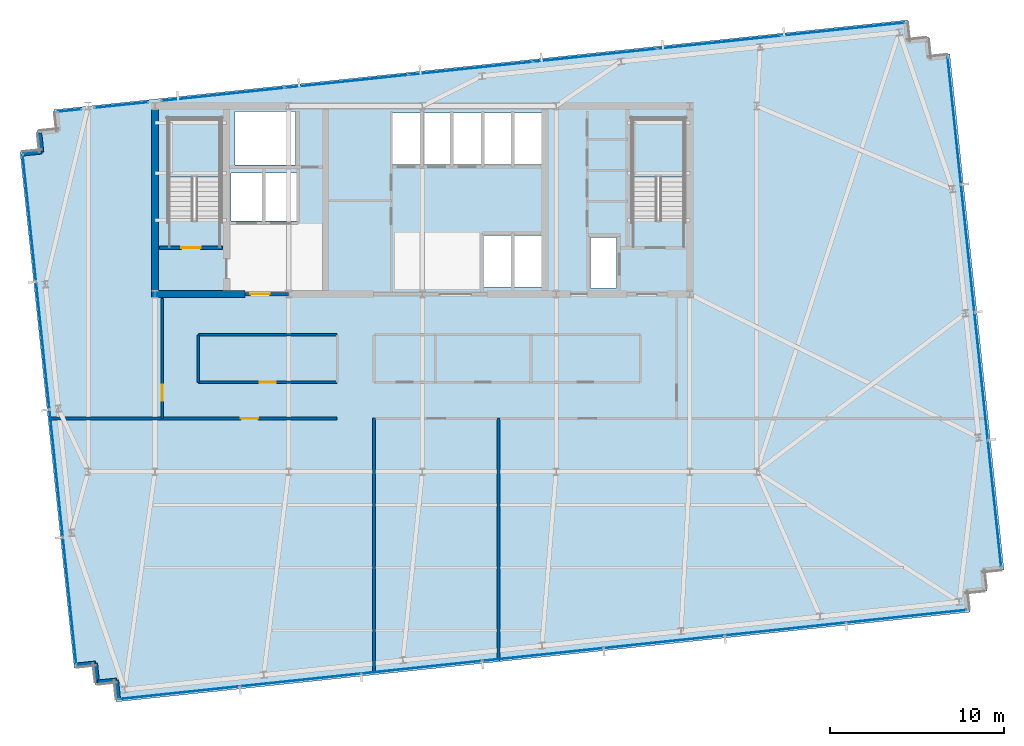
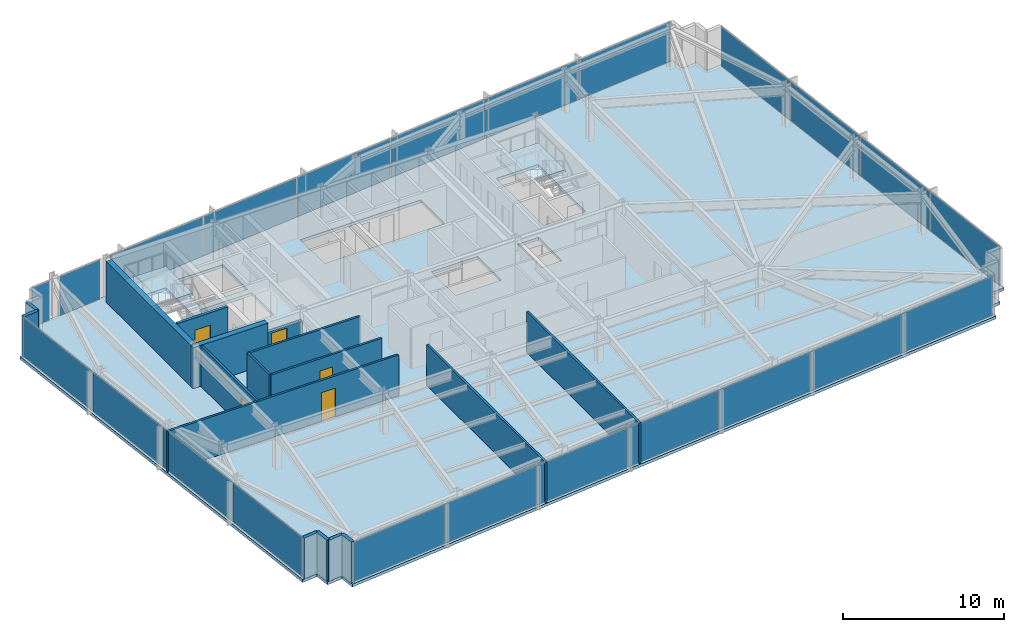
# One storey, part 26 of 32: 23 plates, 17 walls, 5 doors, 3 slabs, 5 openings, 8 elements without a shape of their own.
"""IFC4 building model written with IfcOpenShell, lengths in metres."""

from ifc_helpers import new_model, si_unit, direction, frame, frame_2d, origin, origin_2d, place, context, subcontext, project, spatial, polyline, rectangle, outline, extrude, material, layer, layer_set, type_object, element, fill, aggregate, save


model = new_model("IFC4")

# Units and contexts
model_context = context("Model", 3, precision=1e-05, world=origin(), true_north=direction((0.0, 1.0)))
body_context = subcontext(model_context, "Body", "Model", "MODEL_VIEW")
ifc_project = project(units=[si_unit("LENGTHUNIT", "METRE"), si_unit("AREAUNIT", "SQUARE_METRE"), si_unit("VOLUMEUNIT", "CUBIC_METRE"), si_unit("PLANEANGLEUNIT", "RADIAN"), si_unit("MASSUNIT", "GRAM", prefix="KILO")], contexts=[model_context])

# Site, building, storey
site_placement = place(None, origin())
site = spatial("IfcSite", under=ifc_project, at=site_placement, CompositionType="ELEMENT")
building_placement = place(site_placement, origin())
building = spatial("IfcBuilding", under=site, at=building_placement, Name="Yelkora Congress Tower", CompositionType="ELEMENT")
storey_placement = place(building_placement, frame((0.0, 0.0, 207.800048828125)))
storey = spatial("IfcBuildingStorey", under=building, at=storey_placement, Name="L57", CompositionType="ELEMENT", Elevation=207.800048828125)

# Curtain wall, plates
ifc_material_1 = material(Name="Anodised aluminium and insulated glass", Category="aluminium")
curtain_wall_type = type_object("IfcCurtainWallType", Name="CW-SYS-B4", PredefinedType="NOTDEFINED", material=ifc_material_1)
curtain_wall_1_placement = place(storey_placement, origin())
curtain_wall_1 = element("IfcCurtainWall", 1, at=curtain_wall_1_placement, inside=storey, type_object=curtain_wall_type, Name="L57 Unitised Curtain Wall 5", PredefinedType="NOTDEFINED")
ifc_material_2 = material(Name="Triple-silver diplomatic glass unit B4", Category="glass")
ifc_layer_1 = layer(ifc_material_2, 0.035888671875)
ifc_layer_set_1 = layer_set([ifc_layer_1], Name="Triple-silver diplomatic glass unit B4")
plate_type = type_object("IfcPlateType", Name="PLT-PN-B4", PredefinedType="CURTAIN_PANEL", material=ifc_layer_set_1)
plate_1_placement = place(storey_placement, frame((18.139404296875, 17.7724609375, 0.06005859375), z_axis=(0.0, 0.0, 1.0), x_axis=(-0.104526079034, 0.994522145958, 0.0)))
plate_1 = element("IfcPlate", 2, at=plate_1_placement, type_object=plate_type, Name="CW-B4 panel 1.1", PredefinedType="CURTAIN_PANEL", context=body_context, shape_type="SweptSolid", body=[
    extrude(rectangle(XDim=7.282470703125, YDim=0.035888671875, at=origin_2d()), origin(), (0.0, 0.0, 1.0), 2.9599609375),
])
plate_2_placement = place(storey_placement, frame((17.36962890625, 25.095703125, 0.06005859375), z_axis=(0.0, 0.0, 1.0), x_axis=(-0.104526079034, 0.994522145958, 0.0)))
plate_2 = element("IfcPlate", 3, at=plate_2_placement, type_object=plate_type, Name="CW-B4 panel 2.1", PredefinedType="CURTAIN_PANEL", context=body_context, shape_type="SweptSolid", body=[
    extrude(rectangle(XDim=7.31494140625, YDim=0.035888671875, at=origin_2d()), origin(), (0.0, 0.0, 1.0), 2.9599609375),
])
plate_3_placement = place(storey_placement, frame((16.59814453125, 32.435302734375, 0.06005859375), z_axis=(0.0, 0.0, 1.0), x_axis=(-0.104526079034, 0.994522145958, 0.0)))
plate_3 = element("IfcPlate", 4, at=plate_3_placement, type_object=plate_type, Name="CW-B4 panel 3.1", PredefinedType="CURTAIN_PANEL", context=body_context, shape_type="SweptSolid", body=[
    extrude(rectangle(XDim=7.31494140625, YDim=0.035888671875, at=origin_2d()), origin(), (0.0, 0.0, 1.0), 2.9599609375),
])
plate_4_placement = place(storey_placement, frame((15.82861328125, 39.7587890625, 0.06005859375), z_axis=(0.0, 0.0, 1.0), x_axis=(-0.104526079034, 0.994522145958, 0.0)))
plate_4 = element("IfcPlate", 5, at=plate_4_placement, type_object=plate_type, Name="CW-B4 panel 4.1", PredefinedType="CURTAIN_PANEL", context=body_context, shape_type="SweptSolid", body=[
    extrude(rectangle(XDim=7.282470703125, YDim=0.035888671875, at=origin_2d()), origin(), (0.0, 0.0, 1.0), 2.9599609375),
])
aggregate(curtain_wall_1, [plate_1, plate_2, plate_3, plate_4])

# Curtain wall, plate
curtain_wall_2_placement = place(storey_placement, origin())
curtain_wall_2 = element("IfcCurtainWall", 6, at=curtain_wall_2_placement, inside=storey, type_object=curtain_wall_type, Name="L57 Unitised Curtain Wall 10 (1)", PredefinedType="NOTDEFINED")
plate_5_placement = place(storey_placement, frame((18.136474609375, 45.940185546875, 0.06005859375), z_axis=(0.0, 0.0, 1.0), x_axis=(0.994523910137, 0.104509292244, 0.0)))
plate_5 = element("IfcPlate", 7, at=plate_5_placement, type_object=plate_type, Name="CW-B4 panel 1.1", PredefinedType="CURTAIN_PANEL", context=body_context, shape_type="SweptSolid", body=[
    extrude(rectangle(XDim=1.35302734375, YDim=0.035888671875, at=origin_2d()), origin(), (0.0, 0.0, 1.0), 2.9599609375),
])
aggregate(curtain_wall_2, [plate_5])

curtain_wall_3_placement = place(storey_placement, origin())
curtain_wall_3 = element("IfcCurtainWall", 8, at=curtain_wall_3_placement, inside=storey, type_object=curtain_wall_type, Name="L57 Unitised Curtain Wall 10 (2)", PredefinedType="NOTDEFINED")
plate_6_placement = place(storey_placement, frame((21.1201171875, 46.253662109375, 0.06005859375), z_axis=(0.0, 0.0, 1.0), x_axis=(0.994524239868, 0.104506154437, 0.0)))
plate_6 = element("IfcPlate", 9, at=plate_6_placement, type_object=plate_type, Name="CW-B4 panel 1.1", PredefinedType="CURTAIN_PANEL", context=body_context, shape_type="SweptSolid", body=[
    extrude(rectangle(XDim=3.075439453125, YDim=0.035888671875, at=origin_2d()), origin(), (0.0, 0.0, 1.0), 2.9599609375),
])
aggregate(curtain_wall_3, [plate_6])

# Curtain wall, plates
curtain_wall_4_placement = place(storey_placement, origin())
curtain_wall_4 = element("IfcCurtainWall", 10, at=curtain_wall_4_placement, inside=storey, type_object=curtain_wall_type, Name="L57 Unitised Curtain Wall 10 (3)", PredefinedType="NOTDEFINED")
plate_7_placement = place(storey_placement, frame((26.947509765625, 46.8662109375, 0.06005859375), z_axis=(0.0, 0.0, 1.0), x_axis=(0.994521973066, 0.104527724021, 0.0)))
plate_7 = element("IfcPlate", 11, at=plate_7_placement, type_object=plate_type, Name="CW-B4 panel 1.1", PredefinedType="CURTAIN_PANEL", context=body_context, shape_type="SweptSolid", body=[
    extrude(rectangle(XDim=7.072509765625, YDim=0.035888671875, at=origin_2d()), origin(), (0.0, 0.0, 1.0), 2.9599609375),
])
plate_8_placement = place(storey_placement, frame((34.06201171875, 47.614013671875, 0.06005859375), z_axis=(0.0, 0.0, 1.0), x_axis=(0.994521973066, 0.104527724021, 0.0)))
plate_8 = element("IfcPlate", 12, at=plate_8_placement, type_object=plate_type, Name="CW-B4 panel 2.1", PredefinedType="CURTAIN_PANEL", context=body_context, shape_type="SweptSolid", body=[
    extrude(rectangle(XDim=7.10498046875, YDim=0.035888671875, at=origin_2d()), origin(), (0.0, 0.0, 1.0), 2.9599609375),
])
plate_9_placement = place(storey_placement, frame((41.19287109375, 48.363525390625, 0.06005859375), z_axis=(0.0, 0.0, 1.0), x_axis=(0.994521973066, 0.104527724021, 0.0)))
plate_9 = element("IfcPlate", 13, at=plate_9_placement, type_object=plate_type, Name="CW-B4 panel 3.1", PredefinedType="CURTAIN_PANEL", context=body_context, shape_type="SweptSolid", body=[
    extrude(rectangle(XDim=7.10498046875, YDim=0.035888671875, at=origin_2d()), origin(), (0.0, 0.0, 1.0), 2.9599609375),
])
plate_10_placement = place(storey_placement, frame((48.32373046875, 49.113037109375, 0.06005859375), z_axis=(0.0, 0.0, 1.0), x_axis=(0.994521973066, 0.104527724021, 0.0)))
plate_10 = element("IfcPlate", 14, at=plate_10_placement, type_object=plate_type, Name="CW-B4 panel 4.1", PredefinedType="CURTAIN_PANEL", context=body_context, shape_type="SweptSolid", body=[
    extrude(rectangle(XDim=7.10498046875, YDim=0.035888671875, at=origin_2d()), origin(), (0.0, 0.0, 1.0), 2.9599609375),
])
plate_11_placement = place(storey_placement, frame((55.454345703125, 49.8623046875, 0.06005859375), z_axis=(0.0, 0.0, 1.0), x_axis=(0.994521973066, 0.104527724021, 0.0)))
plate_11 = element("IfcPlate", 15, at=plate_11_placement, type_object=plate_type, Name="CW-B4 panel 5.1", PredefinedType="CURTAIN_PANEL", context=body_context, shape_type="SweptSolid", body=[
    extrude(rectangle(XDim=7.10498046875, YDim=0.035888671875, at=origin_2d()), origin(), (0.0, 0.0, 1.0), 2.9599609375),
])
plate_12_placement = place(storey_placement, frame((62.56884765625, 50.610107421875, 0.06005859375), z_axis=(0.0, 0.0, 1.0), x_axis=(0.994521973066, 0.104527724021, 0.0)))
plate_12 = element("IfcPlate", 16, at=plate_12_placement, type_object=plate_type, Name="CW-B4 panel 6.1", PredefinedType="CURTAIN_PANEL", context=body_context, shape_type="SweptSolid", body=[
    extrude(rectangle(XDim=7.072509765625, YDim=0.035888671875, at=origin_2d()), origin(), (0.0, 0.0, 1.0), 2.9599609375),
])
aggregate(curtain_wall_4, [plate_7, plate_8, plate_9, plate_10, plate_11, plate_12])

curtain_wall_5_placement = place(storey_placement, origin())
curtain_wall_5 = element("IfcCurtainWall", 17, at=curtain_wall_5_placement, inside=storey, type_object=curtain_wall_type, Name="L57 Unitised Curtain Wall 15", PredefinedType="NOTDEFINED")
plate_13_placement = place(storey_placement, frame((68.955810546875, 45.3427734375, 0.06005859375), z_axis=(0.0, 0.0, 1.0), x_axis=(0.104525726898, -0.994522182968, 0.0)))
plate_13 = element("IfcPlate", 18, at=plate_13_placement, type_object=plate_type, Name="CW-B4 panel 1.1", PredefinedType="CURTAIN_PANEL", context=body_context, shape_type="SweptSolid", body=[
    extrude(rectangle(XDim=7.282470703125, YDim=0.035888671875, at=origin_2d()), origin(), (0.0, 0.0, 1.0), 2.9599609375),
])
plate_14_placement = place(storey_placement, frame((69.7255859375, 38.019287109375, 0.06005859375), z_axis=(0.0, 0.0, 1.0), x_axis=(0.104525726898, -0.994522182968, 0.0)))
plate_14 = element("IfcPlate", 19, at=plate_14_placement, type_object=plate_type, Name="CW-B4 panel 2.1", PredefinedType="CURTAIN_PANEL", context=body_context, shape_type="SweptSolid", body=[
    extrude(rectangle(XDim=7.31494140625, YDim=0.035888671875, at=origin_2d()), origin(), (0.0, 0.0, 1.0), 2.9599609375),
])
plate_15_placement = place(storey_placement, frame((70.496826171875, 30.6796875, 0.06005859375), z_axis=(0.0, 0.0, 1.0), x_axis=(0.104525726898, -0.994522182968, 0.0)))
plate_15 = element("IfcPlate", 20, at=plate_15_placement, type_object=plate_type, Name="CW-B4 panel 3.1", PredefinedType="CURTAIN_PANEL", context=body_context, shape_type="SweptSolid", body=[
    extrude(rectangle(XDim=7.31494140625, YDim=0.035888671875, at=origin_2d()), origin(), (0.0, 0.0, 1.0), 2.9599609375),
])
plate_16_placement = place(storey_placement, frame((71.2666015625, 23.356201171875, 0.06005859375), z_axis=(0.0, 0.0, 1.0), x_axis=(0.104525726898, -0.994522182968, 0.0)))
plate_16 = element("IfcPlate", 21, at=plate_16_placement, type_object=plate_type, Name="CW-B4 panel 4.1", PredefinedType="CURTAIN_PANEL", context=body_context, shape_type="SweptSolid", body=[
    extrude(rectangle(XDim=7.282470703125, YDim=0.035888671875, at=origin_2d()), origin(), (0.0, 0.0, 1.0), 2.9599609375),
])
aggregate(curtain_wall_5, [plate_13, plate_14, plate_15, plate_16])

curtain_wall_6_placement = place(storey_placement, origin())
curtain_wall_6 = element("IfcCurtainWall", 22, at=curtain_wall_6_placement, inside=storey, type_object=curtain_wall_type, Name="L57 Unitised Curtain Wall 20", PredefinedType="NOTDEFINED")
plate_17_placement = place(storey_placement, frame((66.19775390625, 16.884765625, 0.06005859375), z_axis=(0.0, 0.0, 1.0), x_axis=(-0.994522084373, -0.104526664994, 0.0)))
plate_17 = element("IfcPlate", 23, at=plate_17_placement, type_object=plate_type, Name="CW-B4 panel 1.1", PredefinedType="CURTAIN_PANEL", context=body_context, shape_type="SweptSolid", body=[
    extrude(rectangle(XDim=6.9052734375, YDim=0.035888671875, at=origin_2d()), origin(), (0.0, 0.0, 1.0), 2.9599609375),
])
plate_18_placement = place(storey_placement, frame((59.249267578125, 16.154541015625, 0.06005859375), z_axis=(0.0, 0.0, 1.0), x_axis=(-0.994522084373, -0.104526664994, 0.0)))
plate_18 = element("IfcPlate", 24, at=plate_18_placement, type_object=plate_type, Name="CW-B4 panel 2.1", PredefinedType="CURTAIN_PANEL", context=body_context, shape_type="SweptSolid", body=[
    extrude(rectangle(XDim=6.937744140625, YDim=0.035888671875, at=origin_2d()), origin(), (0.0, 0.0, 1.0), 2.9599609375),
])
plate_19_placement = place(storey_placement, frame((52.284912109375, 15.42236328125, 0.06005859375), z_axis=(0.0, 0.0, 1.0), x_axis=(-0.994522084373, -0.104526664994, 0.0)))
plate_19 = element("IfcPlate", 25, at=plate_19_placement, type_object=plate_type, Name="CW-B4 panel 3.1", PredefinedType="CURTAIN_PANEL", context=body_context, shape_type="SweptSolid", body=[
    extrude(rectangle(XDim=6.937744140625, YDim=0.035888671875, at=origin_2d()), origin(), (0.0, 0.0, 1.0), 2.9599609375),
])
plate_20_placement = place(storey_placement, frame((45.3203125, 14.6904296875, 0.06005859375), z_axis=(0.0, 0.0, 1.0), x_axis=(-0.994522084373, -0.104526664994, 0.0)))
plate_20 = element("IfcPlate", 26, at=plate_20_placement, type_object=plate_type, Name="CW-B4 panel 4.1", PredefinedType="CURTAIN_PANEL", context=body_context, shape_type="SweptSolid", body=[
    extrude(rectangle(XDim=6.937744140625, YDim=0.035888671875, at=origin_2d()), origin(), (0.0, 0.0, 1.0), 2.9599609375),
])
plate_21_placement = place(storey_placement, frame((38.35595703125, 13.95849609375, 0.06005859375), z_axis=(0.0, 0.0, 1.0), x_axis=(-0.994522084373, -0.104526664994, 0.0)))
plate_21 = element("IfcPlate", 27, at=plate_21_placement, type_object=plate_type, Name="CW-B4 panel 5.1", PredefinedType="CURTAIN_PANEL", context=body_context, shape_type="SweptSolid", body=[
    extrude(rectangle(XDim=6.937744140625, YDim=0.035888671875, at=origin_2d()), origin(), (0.0, 0.0, 1.0), 2.9599609375),
])
plate_22_placement = place(storey_placement, frame((31.391357421875, 13.2265625, 0.06005859375), z_axis=(0.0, 0.0, 1.0), x_axis=(-0.994522084373, -0.104526664994, 0.0)))
plate_22 = element("IfcPlate", 28, at=plate_22_placement, type_object=plate_type, Name="CW-B4 panel 6.1", PredefinedType="CURTAIN_PANEL", context=body_context, shape_type="SweptSolid", body=[
    extrude(rectangle(XDim=6.937744140625, YDim=0.035888671875, at=origin_2d()), origin(), (0.0, 0.0, 1.0), 2.9599609375),
])
plate_23_placement = place(storey_placement, frame((24.443115234375, 12.49609375, 0.06005859375), z_axis=(0.0, 0.0, 1.0), x_axis=(-0.994522084373, -0.104526664994, 0.0)))
plate_23 = element("IfcPlate", 29, at=plate_23_placement, type_object=plate_type, Name="CW-B4 panel 7.1", PredefinedType="CURTAIN_PANEL", context=body_context, shape_type="SweptSolid", body=[
    extrude(rectangle(XDim=6.9052734375, YDim=0.035888671875, at=origin_2d()), origin(), (0.0, 0.0, 1.0), 2.9599609375),
])
aggregate(curtain_wall_6, [plate_17, plate_18, plate_19, plate_20, plate_21, plate_22, plate_23])

# Stair, slab
ifc_material_3 = material(Name="Concrete C40/50", Category="concrete")
stair_type = type_object("IfcStairType", Name="STAIR-HT-1420-R20-165", PredefinedType="HALF_TURN_STAIR", material=ifc_material_3)
stair_1_placement = place(storey_placement, origin())
stair_1 = element("IfcStair", 30, at=stair_1_placement, inside=storey, type_object=stair_type, Name="West Core Protected Exit Stair ST-01 (L57)", PredefinedType="HALF_TURN_STAIR")
ifc_layer_2 = layer(ifc_material_3, 0.219970703125)
ifc_layer_set_2 = layer_set([ifc_layer_2], Name="Concrete C40/50")
slab_type_1 = type_object("IfcSlabType", Name="SLAB-LANDING-220", PredefinedType="LANDING", material=ifc_layer_set_2)
slab_1_placement = place(storey_placement, frame((0.0, 0.0, 1.429931640625)))
slab_1 = element("IfcSlab", 31, at=slab_1_placement, type_object=slab_type_1, Name="ST-01 L57 Half Landing 1", PredefinedType="LANDING", context=body_context, shape_type="SweptSolid", body=[
    extrude(outline(polyline([(26.820068359375, 42.1201171875), (26.820068359375, 45.469970703125), (23.820068359375, 45.469970703125), (23.820068359375, 42.1201171875), (26.820068359375, 42.1201171875)])), origin(), (0.0, 0.0, 1.0), 0.219970703125),
])
aggregate(stair_1, [slab_1])

stair_2_placement = place(storey_placement, origin())
stair_2 = element("IfcStair", 32, at=stair_2_placement, inside=storey, type_object=stair_type, Name="East Core Protected Exit Stair ST-02 (L57)", PredefinedType="HALF_TURN_STAIR")
slab_2_placement = place(storey_placement, frame((0.0, 0.0, 1.429931640625)))
slab_2 = element("IfcSlab", 33, at=slab_2_placement, type_object=slab_type_1, Name="ST-02 L57 Half Landing 1", PredefinedType="LANDING", context=body_context, shape_type="SweptSolid", body=[
    extrude(outline(polyline([(53.4599609375, 42.1201171875), (53.4599609375, 45.469970703125), (50.4599609375, 45.469970703125), (50.4599609375, 42.1201171875), (53.4599609375, 42.1201171875)])), origin(), (0.0, 0.0, 1.0), 0.219970703125),
])
aggregate(stair_2, [slab_2])

# Slab
ifc_layer_3 = layer(ifc_material_3, 0.219970703125)
ifc_layer_set_3 = layer_set([ifc_layer_3], Name="Concrete C40/50")
slab_type_2 = type_object("IfcSlabType", Name="SLAB-TWR-220", PredefinedType="FLOOR", material=ifc_layer_set_3)
slab_3_placement = place(storey_placement, frame((0.0, 0.0, -0.219970703125)))
element("IfcSlab", 34, at=slab_3_placement, inside=storey, type_object=slab_type_2, Name="L57 Structural Floor Slab", PredefinedType="FLOOR", context=body_context, shape_type="SweptSolid", body=[
    extrude(outline(polyline([(20.820068359375, 11.974609375), (69.85009765625, 17.127685546875), (69.735107421875, 18.2216796875), (70.828857421875, 18.3369140625), (70.714111328125, 19.430908203125), (71.807861328125, 19.545654296875), (68.693115234375, 49.1826171875), (67.59912109375, 49.0673828125), (67.48388671875, 50.16162109375), (66.39013671875, 50.04638671875), (66.275146484375, 51.140380859375), (17.2451171875, 45.9873046875), (17.360107421875, 44.893310546875), (16.26611328125, 44.7783203125), (16.381103515625, 43.684326171875), (15.287109375, 43.5693359375), (18.402099609375, 13.9326171875), (19.49609375, 14.047607421875), (19.611083984375, 12.95361328125), (20.705078125, 13.068603515625), (20.820068359375, 11.974609375)]), holes=[polyline([(23.820068359375, 39.6298828125), (26.820068359375, 39.6298828125), (26.820068359375, 45.469970703125), (23.820068359375, 45.469970703125), (23.820068359375, 39.6298828125)]), polyline([(50.4599609375, 39.6298828125), (53.4599609375, 39.6298828125), (53.4599609375, 45.469970703125), (50.4599609375, 45.469970703125), (50.4599609375, 39.6298828125)]), polyline([(48.050048828125, 35.75), (49.550048828125, 35.75), (49.550048828125, 38.64990234375), (48.050048828125, 38.64990234375), (48.050048828125, 35.75)]), polyline([(36.64990234375, 42.85009765625), (45.25, 42.85009765625), (45.25, 45.800048828125), (36.64990234375, 45.800048828125), (36.64990234375, 42.85009765625)]), polyline([(41.949951171875, 35.800048828125), (45.25, 35.800048828125), (45.25, 38.75), (41.949951171875, 38.75), (41.949951171875, 35.800048828125)]), polyline([(27.419921875, 39.60009765625), (31.179931640625, 39.60009765625), (31.179931640625, 42.35009765625), (27.419921875, 42.35009765625), (27.419921875, 39.60009765625)]), polyline([(27.64990234375, 42.820068359375), (31.1201171875, 42.820068359375), (31.1201171875, 45.8798828125), (27.64990234375, 45.8798828125), (27.64990234375, 42.820068359375)])]), origin(), (0.0, 0.0, 1.0), 0.219970703125),
])

# Walls
ifc_material_4 = material(Name="Concrete C50/60", Category="concrete")
ifc_layer_4 = layer(ifc_material_4, 0.39990234375)
ifc_layer_set_4 = layer_set([ifc_layer_4], Name="Concrete C50/60")
wall_type_1 = type_object("IfcWallType", Name="WALL-CORE-INT-400", PredefinedType="SHEAR", material=ifc_layer_set_4)
wall_1_placement = place(storey_placement, frame((22.840087890625, 35.39990234375, 0.0), z_axis=(0.0, 0.0, 1.0), x_axis=(1.0, 0.0, 0.0)))
element("IfcWall", 35, at=wall_1_placement, inside=storey, type_object=wall_type_1, Name="L57 Rear Core South-West Shear Wall", PredefinedType="SHEAR", context=body_context, shape_type="SweptSolid", body=[
    extrude(rectangle(XDim=5.35986328125, YDim=0.39990234375, at=frame_2d((2.679931640625, 0.0))), origin(), (0.0, 0.0, 1.0), 3.079833984375),
])
wall_2_placement = place(storey_placement, frame((23.0400390625, 35.60009765625, 0.0), z_axis=(0.0, 0.0, 1.0), x_axis=(0.0, 1.0, 0.0)))
element("IfcWall", 36, at=wall_2_placement, inside=storey, type_object=wall_type_1, Name="L57 Rear Core Cross Shear Wall W", PredefinedType="SHEAR", context=body_context, shape_type="SweptSolid", body=[
    extrude(rectangle(XDim=10.39990234375, YDim=0.39990234375, at=frame_2d((5.199951171875, 0.0))), origin(), (0.0, 0.0, 1.0), 3.079833984375),
])
ifc_layer_5 = layer(ifc_material_3, 0.239990234375)
ifc_layer_set_5 = layer_set([ifc_layer_5], Name="Concrete C40/50")
wall_type_2 = type_object("IfcWallType", Name="WALL-EXT-LIMESTONE-240", PredefinedType="SOLIDWALL", material=ifc_layer_set_5)
for number, where, z_axis, x_axis, name in (
    (37, (20.944580078125, 12.12841796875, 0.0), (0.0, 0.0, 1.0), (-0.104534592565, 0.994521251134, 0.0), "L57 Serrated Corner Limestone Pier 1"),
    (38, (20.82958984375, 13.222412109375, 0.0), (0.0, 0.0, 1.0), (-0.994521251134, -0.104534592565, 0.0), "L57 Serrated Corner Limestone Pier 2"),
    (39, (19.735595703125, 13.107421875, 0.0), (0.0, 0.0, 1.0), (-0.104534592565, 0.994521251134, 0.0), "L57 Serrated Corner Limestone Pier 3"),
    (40, (19.62060546875, 14.201416015625, 0.0), (0.0, 0.0, 1.0), (-0.994521251134, -0.104534592565, 0.0), "L57 Serrated Corner Limestone Pier 4"),
):
    element("IfcWall", number, at=place(storey_placement, frame(where, z_axis=z_axis, x_axis=x_axis)), inside=storey, type_object=wall_type_2, Name=name, PredefinedType="SOLIDWALL", context=body_context, shape_type="SweptSolid", body=[
        extrude(rectangle(XDim=1.10009765625, YDim=0.239990234375, at=frame_2d((0.550048828125, 0.0))), origin(), (0.0, 0.0, 1.0), 3.079833984375),
    ])
wall_3_placement = place(storey_placement, frame((15.441162109375, 43.444580078125, 0.0), z_axis=(0.0, 0.0, 1.0), x_axis=(0.994495717747, 0.104777227405, 0.0)))
element("IfcWall", 41, at=wall_3_placement, inside=storey, type_object=wall_type_2, Name="L57 Serrated Corner Limestone Pier 6", PredefinedType="SOLIDWALL", context=body_context, shape_type="SweptSolid", body=[
    extrude(rectangle(XDim=1.099853515625, YDim=0.239990234375, at=frame_2d((0.5498046875, 0.0))), origin(), (0.0, 0.0, 1.0), 3.079833984375),
])
wall_4_placement = place(storey_placement, frame((16.534912109375, 43.559814453125, 0.0), z_axis=(0.0, 0.0, 1.0), x_axis=(-0.104315068386, 0.994544300928, 0.0)))
element("IfcWall", 42, at=wall_4_placement, inside=storey, type_object=wall_type_2, Name="L57 Serrated Corner Limestone Pier 7", PredefinedType="SOLIDWALL", context=body_context, shape_type="SweptSolid", body=[
    extrude(rectangle(XDim=1.10009765625, YDim=0.239990234375, at=frame_2d((0.550048828125, 0.0))), origin(), (0.0, 0.0, 1.0), 3.079833984375),
])
ifc_material_5 = material(Name="Acoustic metal-stud gypsum partition", Category="gypsum")
ifc_layer_6 = layer(ifc_material_5, 0.14990234375)
ifc_layer_set_6 = layer_set([ifc_layer_6], Name="Acoustic metal-stud gypsum partition")
wall_type_3 = type_object("IfcWallType", Name="WALL-INT-150-NR", PredefinedType="PARTITIONING", material=ifc_layer_set_6)
wall_5_placement = place(storey_placement, frame((35.6201171875, 13.610595703125, 0.0), z_axis=(0.0, 0.0, 1.0), x_axis=(0.0, 1.0, 0.0)))
element("IfcWall", 43, at=wall_5_placement, inside=storey, type_object=wall_type_3, Name="L57 Partition Wall 28", PredefinedType="PARTITIONING", context=body_context, shape_type="SweptSolid", body=[
    extrude(rectangle(XDim=14.659423828125, YDim=0.14990234375, at=frame_2d((7.32958984375, 0.0))), origin(), (0.0, 0.0, 1.0), 3.079833984375),
])
wall_6_placement = place(storey_placement, frame((42.77001953125, 14.362060546875, 0.0), z_axis=(0.0, 0.0, 1.0), x_axis=(0.0, 1.0, 0.0)))
element("IfcWall", 44, at=wall_6_placement, inside=storey, type_object=wall_type_3, Name="L57 Partition Wall 29", PredefinedType="PARTITIONING", context=body_context, shape_type="SweptSolid", body=[
    extrude(rectangle(XDim=13.907958984375, YDim=0.14990234375, at=frame_2d((6.9541015625, 0.0))), origin(), (0.0, 0.0, 1.0), 3.079833984375),
])

# Wall, opening, door
wall_7_placement = place(storey_placement, frame((16.977783203125, 28.25, 0.0), z_axis=(0.0, 0.0, 1.0), x_axis=(1.0, 0.0, 0.0)))
wall_7 = element("IfcWall", 45, at=wall_7_placement, inside=storey, type_object=wall_type_3, Name="L57 South Spine Wall West", PredefinedType="PARTITIONING", context=body_context, shape_type="SweptSolid", body=[
    extrude(rectangle(XDim=16.522216796875, YDim=0.14990234375, at=frame_2d((8.26123046875, 0.0))), origin(), (0.0, 0.0, 1.0), 3.079833984375),
])
opening_1_placement = place(wall_7_placement, frame((10.9921875, 0.0, 0.0)))
opening_1 = element("IfcOpeningElement", 46, at=opening_1_placement, cuts=wall_7, Name="Opening DR-100N", PredefinedType="OPENING", context=body_context, shape_type="SweptSolid", body=[
    extrude(rectangle(XDim=1.0, YDim=2.14990234375, at=frame_2d((0.5, 1.074951171875))), frame((0.0, 0.0849609375, 0.0), z_axis=(0.0, -1.0, 0.0), x_axis=(1.0, 0.0, 0.0)), (0.0, 0.0, 1.0), 0.169921875),
])
ifc_material_6 = material(Name="Solid-core Anatolian oak veneer door", Category="wood")
door_type_1 = type_object("IfcDoorType", Name="DOOR-INT-1000", OperationType="NOTDEFINED", PredefinedType="DOOR", material=ifc_material_6)
door_1_placement = place(opening_1_placement, origin())
door_1 = element("IfcDoor", 47, at=door_1_placement, inside=storey, type_object=door_type_1, Name="L57 Delegate Amenity Lounge Door", OperationType="SINGLE_SWING_LEFT", OverallHeight=2.14990234375, OverallWidth=1.0, PredefinedType="DOOR", context=body_context, shape_type="SweptSolid", body=[
    extrude(rectangle(XDim=1.0, YDim=2.14990234375, at=frame_2d((0.5, 1.074951171875))), frame((0.0, 0.02490234375, 0.0), z_axis=(0.0, -1.0, 0.0), x_axis=(1.0, 0.0, 0.0)), (0.0, 0.0, 1.0), 0.050048828125),
])
fill(opening_1, door_1)

wall_8_placement = place(storey_placement, frame((23.449951171875, 28.25, 0.0), z_axis=(0.0, 0.0, 1.0), x_axis=(0.0, 1.0, 0.0)))
wall_8 = element("IfcWall", 48, at=wall_8_placement, inside=storey, type_object=wall_type_3, Name="L57 Partition Wall 32", PredefinedType="PARTITIONING", context=body_context, shape_type="SweptSolid", body=[
    extrude(rectangle(XDim=6.889892578125, YDim=0.14990234375, at=frame_2d((3.44482421875, 0.0))), origin(), (0.0, 0.0, 1.0), 3.079833984375),
])
opening_2_placement = place(wall_8_placement, frame((1.030029296875, 0.0, 0.0)))
opening_2 = element("IfcOpeningElement", 49, at=opening_2_placement, cuts=wall_8, Name="Opening DR-090N", PredefinedType="OPENING", context=body_context, shape_type="SweptSolid", body=[
    extrude(rectangle(XDim=0.89990234375, YDim=2.14990234375, at=frame_2d((0.449951171875, 1.074951171875))), frame((0.0, 0.0849609375, 0.0), z_axis=(0.0, -1.0, 0.0), x_axis=(1.0, 0.0, 0.0)), (0.0, 0.0, 1.0), 0.169921875),
])
ifc_material_7 = material(Name="Moisture-resistant laminate door leaf", Category="wood")
door_type_2 = type_object("IfcDoorType", Name="DOOR-INT-900", OperationType="NOTDEFINED", PredefinedType="DOOR", material=ifc_material_7)
door_2_placement = place(opening_2_placement, origin())
door_2 = element("IfcDoor", 50, at=door_2_placement, inside=storey, type_object=door_type_2, Name="L57 W Wing Door", OperationType="SINGLE_SWING_RIGHT", OverallHeight=2.14990234375, OverallWidth=0.89990234375, PredefinedType="DOOR", context=body_context, shape_type="SweptSolid", body=[
    extrude(rectangle(XDim=0.89990234375, YDim=2.14990234375, at=frame_2d((0.449951171875, 1.074951171875))), frame((0.0, 0.02490234375, 0.0), z_axis=(0.0, -1.0, 0.0), x_axis=(1.0, 0.0, 0.0)), (0.0, 0.0, 1.0), 0.050048828125),
])
fill(opening_2, door_2)

# Walls
wall_9_placement = place(storey_placement, frame((25.530029296875, 30.330078125, 0.0), z_axis=(0.0, 0.0, 1.0), x_axis=(0.0, 1.0, 0.0)))
element("IfcWall", 51, at=wall_9_placement, inside=storey, type_object=wall_type_3, Name="L57 Partition Wall 34", PredefinedType="PARTITIONING", context=body_context, shape_type="SweptSolid", body=[
    extrude(rectangle(XDim=2.719970703125, YDim=0.14990234375, at=frame_2d((1.35986328125, 0.0))), origin(), (0.0, 0.0, 1.0), 3.079833984375),
])
wall_10_placement = place(storey_placement, frame((25.530029296875, 33.050048828125, 0.0), z_axis=(0.0, 0.0, 1.0), x_axis=(1.0, 0.0, 0.0)))
element("IfcWall", 52, at=wall_10_placement, inside=storey, type_object=wall_type_3, Name="L57 Partition Wall 38", PredefinedType="PARTITIONING", context=body_context, shape_type="SweptSolid", body=[
    extrude(rectangle(XDim=7.969970703125, YDim=0.14990234375, at=frame_2d((3.98486328125, 0.0))), origin(), (0.0, 0.0, 1.0), 3.079833984375),
])

# Wall, opening, door
wall_11_placement = place(storey_placement, frame((25.550048828125, 30.330078125, 0.0), z_axis=(0.0, 0.0, 1.0), x_axis=(1.0, 0.0, 0.0)))
wall_11 = element("IfcWall", 53, at=wall_11_placement, inside=storey, type_object=wall_type_3, Name="L57 Partition Wall 40", PredefinedType="PARTITIONING", context=body_context, shape_type="SweptSolid", body=[
    extrude(rectangle(XDim=7.93994140625, YDim=0.14990234375, at=frame_2d((3.969970703125, 0.0))), origin(), (0.0, 0.0, 1.0), 3.079833984375),
])
opening_3_placement = place(wall_11_placement, frame((3.52001953125, 0.0, 0.0)))
opening_3 = element("IfcOpeningElement", 54, at=opening_3_placement, cuts=wall_11, Name="Opening DR-090N", PredefinedType="OPENING", context=body_context, shape_type="SweptSolid", body=[
    extrude(rectangle(XDim=0.89990234375, YDim=2.14990234375, at=frame_2d((0.449951171875, 1.074951171875))), frame((0.0, 0.0849609375, 0.0), z_axis=(0.0, -1.0, 0.0), x_axis=(1.0, 0.0, 0.0)), (0.0, 0.0, 1.0), 0.169921875),
])
door_3_placement = place(opening_3_placement, origin())
door_3 = element("IfcDoor", 55, at=door_3_placement, inside=storey, type_object=door_type_2, Name="L57 Executive Boardroom Door", OperationType="SINGLE_SWING_RIGHT", OverallHeight=2.14990234375, OverallWidth=0.89990234375, PredefinedType="DOOR", context=body_context, shape_type="SweptSolid", body=[
    extrude(rectangle(XDim=0.89990234375, YDim=2.14990234375, at=frame_2d((0.449951171875, 1.074951171875))), frame((0.0, 0.02490234375, 0.0), z_axis=(0.0, -1.0, 0.0), x_axis=(1.0, 0.0, 0.0)), (0.0, 0.0, 1.0), 0.050048828125),
])
fill(opening_3, door_3)

ifc_material_8 = material(Name="Autoclaved aerated concrete blockwork", Category="masonry")
ifc_layer_7 = layer(ifc_material_8, 0.199951171875)
ifc_layer_set_7 = layer_set([ifc_layer_7], Name="Autoclaved aerated concrete blockwork")
wall_type_4 = type_object("IfcWallType", Name="WALL-INT-200-R120", PredefinedType="PARTITIONING", material=ifc_layer_set_7)
wall_12_placement = place(storey_placement, frame((23.300048828125, 38.050048828125, 0.0), z_axis=(0.0, 0.0, 1.0), x_axis=(1.0, 0.0, 0.0)))
wall_12 = element("IfcWall", 56, at=wall_12_placement, inside=storey, type_object=wall_type_4, Name="L57 Stair ST-01 Enclosure Wall", PredefinedType="PARTITIONING", context=body_context, shape_type="SweptSolid", body=[
    extrude(rectangle(XDim=3.619873046875, YDim=0.199951171875, at=frame_2d((1.81005859375, 0.0))), origin(), (0.0, 0.0, 1.0), 3.079833984375),
])
opening_4_placement = place(wall_12_placement, frame((1.260009765625, 0.0, 0.0)))
opening_4 = element("IfcOpeningElement", 57, at=opening_4_placement, cuts=wall_12, Name="Opening DR-110F9", PredefinedType="OPENING", context=body_context, shape_type="SweptSolid", body=[
    extrude(rectangle(XDim=1.10009765625, YDim=2.14990234375, at=frame_2d((0.550048828125, 1.074951171875))), frame((0.0, 0.10986328125, 0.0), z_axis=(0.0, -1.0, 0.0), x_axis=(1.0, 0.0, 0.0)), (0.0, 0.0, 1.0), 0.219970703125),
])
ifc_material_9 = material(Name="Galvanised steel fire door leaf", Category="steel")
door_type_3 = type_object("IfcDoorType", Name="DOOR-FD90-1100", OperationType="NOTDEFINED", PredefinedType="DOOR", material=ifc_material_9)
door_4_placement = place(opening_4_placement, origin())
door_4 = element("IfcDoor", 58, at=door_4_placement, inside=storey, type_object=door_type_3, Name="L57 Stair ST-01 Entry Door", OperationType="SINGLE_SWING_LEFT", OverallHeight=2.14990234375, OverallWidth=1.10009765625, PredefinedType="DOOR", context=body_context, shape_type="SweptSolid", body=[
    extrude(rectangle(XDim=1.10009765625, YDim=2.14990234375, at=frame_2d((0.550048828125, 1.074951171875))), frame((0.0, 0.02490234375, 0.0), z_axis=(0.0, -1.0, 0.0), x_axis=(1.0, 0.0, 0.0)), (0.0, 0.0, 1.0), 0.050048828125),
])
fill(opening_4, door_4)

wall_13_placement = place(storey_placement, frame((28.219970703125, 35.39990234375, 0.0), z_axis=(0.0, 0.0, 1.0), x_axis=(1.0, 0.0, 0.0)))
wall_13 = element("IfcWall", 59, at=wall_13_placement, inside=storey, type_object=wall_type_4, Name="L57 Firefighting Lobby South Wall", PredefinedType="PARTITIONING", context=body_context, shape_type="SweptSolid", body=[
    extrude(rectangle(XDim=2.5, YDim=0.199951171875, at=frame_2d((1.25, 0.0))), origin(), (0.0, 0.0, 1.0), 2.31298828125),
])
opening_5_placement = place(wall_13_placement, frame((0.300048828125, 0.0, 0.0)))
opening_5 = element("IfcOpeningElement", 60, at=opening_5_placement, cuts=wall_13, Name="Opening DR-110F9", PredefinedType="OPENING", context=body_context, shape_type="SweptSolid", body=[
    extrude(rectangle(XDim=1.10009765625, YDim=2.14990234375, at=frame_2d((0.550048828125, 1.074951171875))), frame((0.0, 0.10986328125, 0.0), z_axis=(0.0, -1.0, 0.0), x_axis=(1.0, 0.0, 0.0)), (0.0, 0.0, 1.0), 0.219970703125),
])
door_5_placement = place(opening_5_placement, origin())
door_5 = element("IfcDoor", 61, at=door_5_placement, inside=storey, type_object=door_type_3, Name="L57 Firefighting Lobby Corridor Door", OperationType="SINGLE_SWING_RIGHT", OverallHeight=2.14990234375, OverallWidth=1.10009765625, PredefinedType="DOOR", context=body_context, shape_type="SweptSolid", body=[
    extrude(rectangle(XDim=1.10009765625, YDim=2.14990234375, at=frame_2d((0.550048828125, 1.074951171875))), frame((0.0, 0.02490234375, 0.0), z_axis=(0.0, -1.0, 0.0), x_axis=(1.0, 0.0, 0.0)), (0.0, 0.0, 1.0), 0.050048828125),
])
fill(opening_5, door_5)

save(model, "model.ifc")
